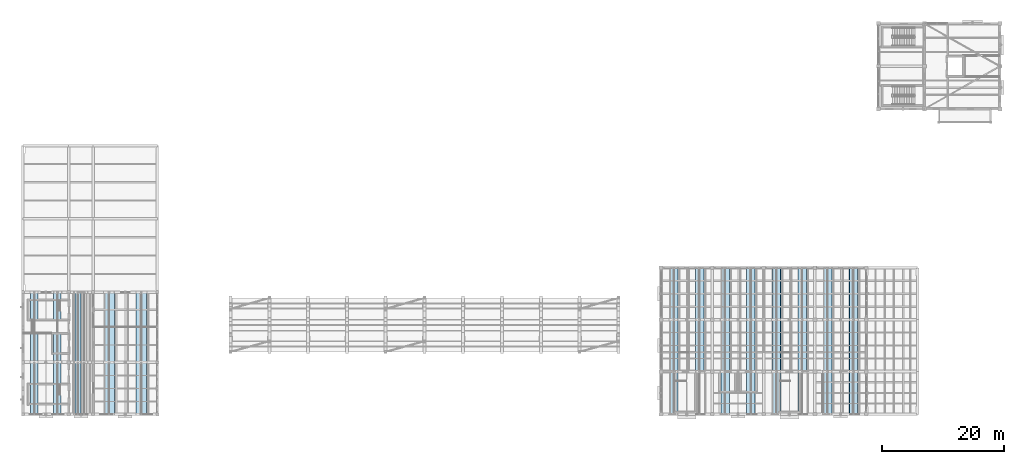
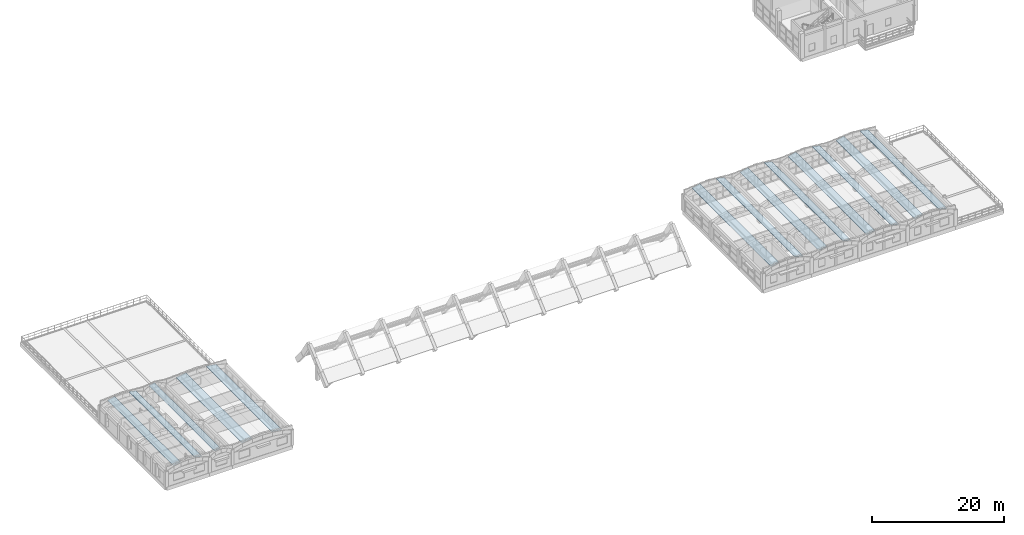
# One storey, part 33 of 40: 13 roofs.
"""IFC4 building model written with IfcOpenShell, lengths in metres."""

from ifc_helpers import new_model, si_unit, direction, frame, origin, place, context, subcontext, project, spatial, polyline, outline, extrude, material, layer, layer_set, type_object, element, save


model = new_model("IFC4")

# Units and contexts
model_context = context("Model", 3, precision=1e-05, world=origin(), true_north=direction((0.0, 1.0)))
body_context = subcontext(model_context, "Body", "Model", "MODEL_VIEW")
ifc_project = project(units=[si_unit("LENGTHUNIT", "METRE"), si_unit("AREAUNIT", "SQUARE_METRE"), si_unit("VOLUMEUNIT", "CUBIC_METRE"), si_unit("PLANEANGLEUNIT", "RADIAN"), si_unit("MASSUNIT", "GRAM", prefix="KILO")], contexts=[model_context])

# Site, building, storey
site_placement = place(None, origin())
site = spatial("IfcSite", under=ifc_project, at=site_placement, CompositionType="ELEMENT")
building_placement = place(site_placement, origin())
building = spatial("IfcBuilding", under=site, at=building_placement, Name="Trellovar Central Fire Station", CompositionType="ELEMENT")
storey_placement = place(building_placement, frame((0.0, 0.0, 12.75)))
storey = spatial("IfcBuildingStorey", under=building, at=storey_placement, Name="L04", CompositionType="ELEMENT", Elevation=12.75)

# Roofs
ifc_material = material(Name="Concrete C40/50", Category="concrete")
ifc_layer = layer(ifc_material, 0.080078125)
ifc_layer_set = layer_set([ifc_layer], Name="Concrete C40/50")
roof_type = type_object("IfcRoofType", Name="ROOF-BV1", PredefinedType="BARREL_ROOF", material=ifc_layer_set)
for number, where, z_axis, x_axis, name in (
    (1, (2.251953125, 9.0, 3.4248046875), (-0.208613700413, 0.0, 0.977998120653), (0.977998120653, 0.0, 0.208613700413), "V4 Catalan barrel roof shell BV-1 01-02"),
    (2, (6.018798828125, 9.0, 3.68701171875), (0.208613700413, 0.0, 0.977998120653), (0.977998120653, 0.0, -0.208613700413), "V4 Catalan barrel roof shell BV-1 01-05"),
):
    element("IfcRoof", number, at=place(storey_placement, frame(where, z_axis=z_axis, x_axis=x_axis)), inside=storey, type_object=roof_type, Name=name, PredefinedType="BARREL_ROOF", context=body_context, shape_type="SweptSolid", body=[
        extrude(outline(polyline([(0.0, 0.0), (1.2569022587229848, 0.0), (1.2569022587229848, 20.0), (0.0, 20.0), (0.0, 0.0)])), origin(), (0.0, 0.0, -1.0), 0.080078125),
    ])
roof_placement = place(storey_placement, frame((9.501953125, 9.0, 3.580322265625), z_axis=(-0.196303946262, 0.0, 0.98054309476), x_axis=(0.98054309476, 0.0, 0.196303946262)))
element("IfcRoof", 3, at=roof_placement, inside=storey, type_object=roof_type, Name="V4 Catalan barrel roof shell BV-1 02-02", PredefinedType="BARREL_ROOF", context=body_context, shape_type="SweptSolid", body=[
    extrude(outline(polyline([(0.0, 0.0), (0.9999241800175109, 0.0), (0.9999241800175109, 20.000000000000004), (0.0, 20.000000000000004), (0.0, 0.0)])), origin(), (0.0, 0.0, -1.0), 0.080078125),
])
for number, where, z_axis, x_axis, name in (
    (4, (14.251953125, 9.0, 3.4248046875), (-0.150613534429, 0.0, 0.988592718589), (0.988592718589, 0.0, 0.150613534429), "V4 Catalan barrel roof shell BV-1 03-02"),
    (5, (19.51416015625, 9.0, 3.68896484375), (0.150613534429, 0.0, 0.988592718589), (0.988592718589, 0.0, -0.150613534429), "V4 Catalan barrel roof shell BV-1 03-05"),
):
    element("IfcRoof", number, at=place(storey_placement, frame(where, z_axis=z_axis, x_axis=x_axis)), inside=storey, type_object=roof_type, Name=name, PredefinedType="BARREL_ROOF", context=body_context, shape_type="SweptSolid", body=[
        extrude(outline(polyline([(0.0, 0.0), (1.753893879802215, 0.0), (1.753893879802215, 20.0), (0.0, 20.0), (0.0, 0.0)])), origin(), (0.0, 0.0, -1.0), 0.080078125),
    ])
for number, where, z_axis, x_axis, name in (
    (6, (106.902099609375, 9.0, 3.635986328125), (-0.231729304367, 0.0, 0.972780308959), (0.972780308959, 0.0, 0.231729304367), "V5 Catalan barrel roof shell BV-1 01-02"),
    (7, (111.12060546875, 9.0, 3.964111328125), (0.231729304367, 0.0, 0.972780308959), (0.972780308959, 0.0, -0.231729304367), "V5 Catalan barrel roof shell BV-1 01-05"),
    (8, (115.302001953125, 9.0, 3.635986328125), (-0.231729304367, 0.0, 0.972780308959), (0.972780308959, 0.0, 0.231729304367), "V5 Catalan barrel roof shell BV-1 02-02"),
    (9, (119.5205078125, 9.0, 3.964111328125), (0.231729304367, 0.0, 0.972780308959), (0.972780308959, 0.0, -0.231729304367), "V5 Catalan barrel roof shell BV-1 02-05"),
):
    element("IfcRoof", number, at=place(storey_placement, frame(where, z_axis=z_axis, x_axis=x_axis)), inside=storey, type_object=roof_type, Name=name, PredefinedType="BARREL_ROOF", context=body_context, shape_type="SweptSolid", body=[
        extrude(outline(polyline([(0.0, 0.0), (1.4159840547396634, 0.0), (1.4159840547396634, 24.0), (0.0, 24.0), (0.0, 0.0)])), origin(), (0.0, 0.0, -1.0), 0.080078125),
    ])
for number, where, z_axis, x_axis, name in (
    (10, (123.701904296875, 9.0, 3.635986328125), (-0.231690444023, 0.0, 0.972789565193), (0.972789565193, 0.0, 0.231690444023), "V5 Catalan barrel roof shell BV-1 03-02"),
    (11, (127.92041015625, 9.0, 3.964111328125), (0.231690444023, 0.0, 0.972789565193), (0.972789565193, 0.0, -0.231690444023), "V5 Catalan barrel roof shell BV-1 03-05"),
):
    element("IfcRoof", number, at=place(storey_placement, frame(where, z_axis=z_axis, x_axis=x_axis)), inside=storey, type_object=roof_type, Name=name, PredefinedType="BARREL_ROOF", context=body_context, shape_type="SweptSolid", body=[
        extrude(outline(polyline([(0.0, 0.0), (1.4162215510622862, 0.0), (1.4162215510622862, 23.999999999999996), (0.0, 23.999999999999996), (0.0, 0.0)])), origin(), (0.0, 0.0, -1.0), 0.080078125),
    ])
for number, where, z_axis, x_axis, name in (
    (12, (132.10205078125, 9.0, 3.635986328125), (-0.231729304367, 0.0, 0.972780308959), (0.972780308959, 0.0, 0.231729304367), "V5 Catalan barrel roof shell BV-1 04-02"),
    (13, (136.320556640625, 9.0, 3.964111328125), (0.231729304367, 0.0, 0.972780308959), (0.972780308959, 0.0, -0.231729304367), "V5 Catalan barrel roof shell BV-1 04-05"),
):
    element("IfcRoof", number, at=place(storey_placement, frame(where, z_axis=z_axis, x_axis=x_axis)), inside=storey, type_object=roof_type, Name=name, PredefinedType="BARREL_ROOF", context=body_context, shape_type="SweptSolid", body=[
        extrude(outline(polyline([(0.0, 0.0), (1.4159840547396634, 0.0), (1.4159840547396634, 24.0), (0.0, 24.0), (0.0, 0.0)])), origin(), (0.0, 0.0, -1.0), 0.080078125),
    ])

save(model, "model.ifc")
